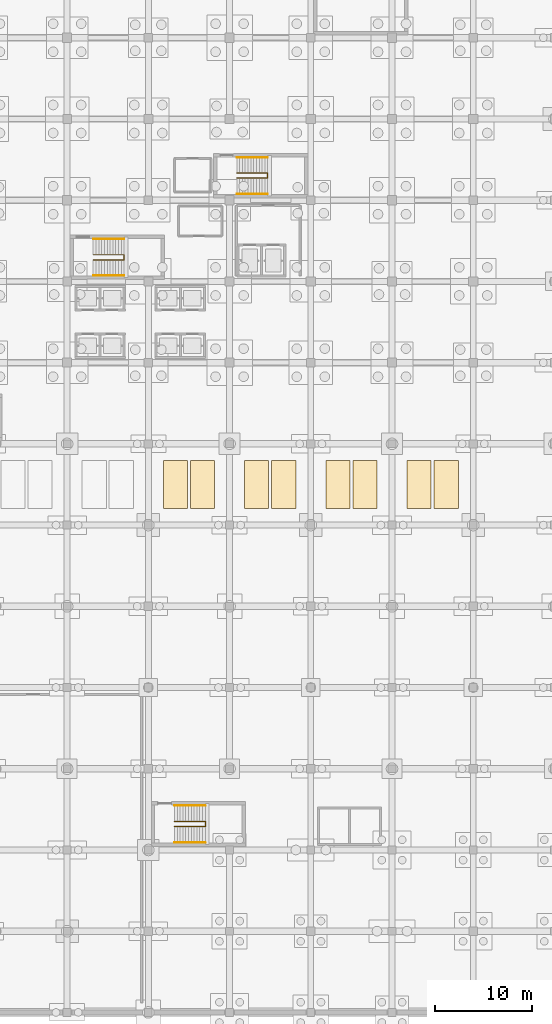
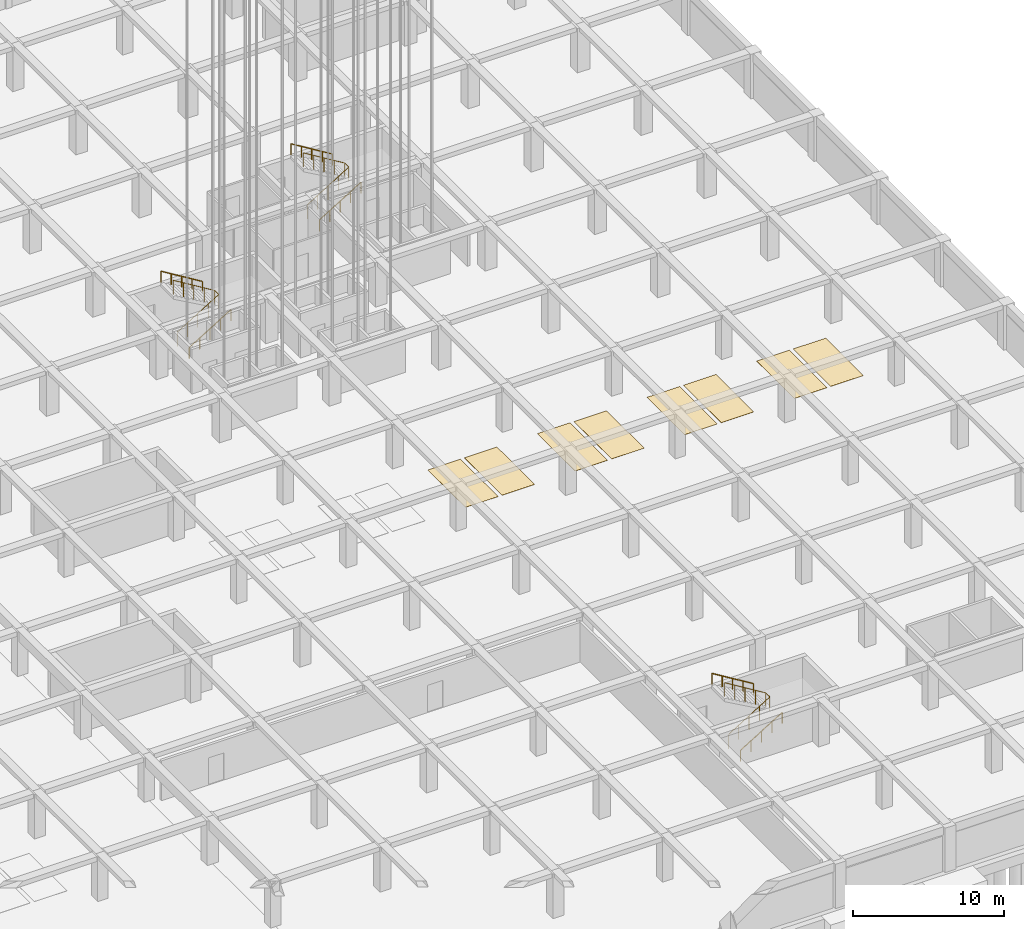
# One storey, part 46 of 47: 9 railings, 8 coverings.
"""IFC4 building model written with IfcOpenShell, lengths in metres."""

from ifc_helpers import new_model, si_unit, direction, frame, origin, origin_2d, place, context, subcontext, project, spatial, rectangle, circle, extrude, material, layer, layer_set, type_object, element, save


model = new_model("IFC4")

# Units and contexts
model_context = context("Model", 3, precision=1e-05, world=origin(), true_north=direction((0.0, 1.0)))
body_context = subcontext(model_context, "Body", "Model", "MODEL_VIEW")
ifc_project = project(units=[si_unit("LENGTHUNIT", "METRE"), si_unit("AREAUNIT", "SQUARE_METRE"), si_unit("VOLUMEUNIT", "CUBIC_METRE"), si_unit("PLANEANGLEUNIT", "RADIAN"), si_unit("MASSUNIT", "GRAM", prefix="KILO")], contexts=[model_context])

# Site, building, storey
site_placement = place(None, origin())
site = spatial("IfcSite", under=ifc_project, at=site_placement, CompositionType="ELEMENT")
building_placement = place(site_placement, origin())
building = spatial("IfcBuilding", under=site, at=building_placement, Name="Almacenes y Pasaje Nevantli", CompositionType="ELEMENT")
storey_placement = place(building_placement, frame((0.0, 0.0, -8.10009765625)))
storey = spatial("IfcBuildingStorey", under=building, at=storey_placement, Name="B02", CompositionType="ELEMENT", Elevation=-8.10009765625)

# Coverings
ifc_material_1 = material(Name="Thermoplastic Traffic Deck Marking", Category="stone")
ifc_layer = layer(ifc_material_1, 0.010009765625)
ifc_layer_set = layer_set([ifc_layer], Name="Thermoplastic Traffic Deck Marking")
covering_type = type_object("IfcCoveringType", Name="COV-PARK-BAY", PredefinedType="FLOORING", material=ifc_layer_set)
for number, where, z_axis, x_axis, name in (
    (1, (128.800048828125, 54.60009765625, 0.0), (0.0, 0.0, 1.0), (1.0, 0.0, 0.0), "B02 Underground Parking Bay Marking #47"),
    (2, (131.60009765625, 54.60009765625, 0.0), (0.0, 0.0, 1.0), (1.0, 0.0, 0.0), "B02 Underground Parking Bay Marking #48"),
    (3, (137.199951171875, 54.60009765625, 0.0), (0.0, 0.0, 1.0), (1.0, 0.0, 0.0), "B02 Underground Parking Bay Marking #49"),
    (4, (140.0, 54.60009765625, 0.0), (0.0, 0.0, 1.0), (1.0, 0.0, 0.0), "B02 Underground Parking Bay Marking #50"),
    (5, (145.60009765625, 54.60009765625, 0.0), (0.0, 0.0, 1.0), (1.0, 0.0, 0.0), "B02 Underground Parking Bay Marking #51"),
    (6, (148.39990234375, 54.60009765625, 0.0), (0.0, 0.0, 1.0), (1.0, 0.0, 0.0), "B02 Underground Parking Bay Marking #52"),
    (7, (154.0, 54.60009765625, 0.0), (0.0, 0.0, 1.0), (1.0, 0.0, 0.0), "B02 Underground Parking Bay Marking #53"),
    (8, (156.800048828125, 54.60009765625, 0.0), (0.0, 0.0, 1.0), (1.0, 0.0, 0.0), "B02 Underground Parking Bay Marking #54"),
):
    element("IfcCovering", number, at=place(storey_placement, frame(where, z_axis=z_axis, x_axis=x_axis)), inside=storey, type_object=covering_type, Name=name, PredefinedType="FLOORING", context=body_context, shape_type="SweptSolid", body=[
        extrude(rectangle(XDim=2.5, YDim=5.0, at=origin_2d()), origin(), (0.0, 0.0, 1.0), 0.010009765625),
    ])

# Railings
ifc_material_2 = material(Name="Brushed Stainless Steel and Tempered Safety Glass", Category="steel")
railing_type_1 = type_object("IfcRailingType", Name="RL-GUARD-1100", PredefinedType="BALUSTRADE", material=ifc_material_2)
railing_1_placement = place(storey_placement, frame((120.300048828125, 77.830078125, 0.0)))
element("IfcRailing", 9, at=railing_1_placement, inside=storey, type_object=railing_type_1, Name="B02 Stair ST-01 Inner Well Guard Balustrade", PredefinedType="BALUSTRADE", context=body_context, shape_type="SweptSolid", body=[
    extrude(circle(Radius=0.02392578125, at=origin_2d()), frame((0.025634765625, 0.0, 1.1416015625), z_axis=(0.853188201146, 0.0, 0.521603195374), x_axis=(0.0, 1.0, 0.0)), (0.0, 0.0, 1.0), 3.678955078125),
    extrude(circle(Radius=0.02392578125, at=origin_2d()), frame((3.18994140625, 0.030029296875, 3.076171875), z_axis=(0.0, 1.0, 0.0), x_axis=(-1.0, 0.0, 0.0)), (0.0, 0.0, 1.0), 0.469970703125),
    extrude(circle(Radius=0.02392578125, at=origin_2d()), frame((3.164306640625, 0.530029296875, 3.091796875), z_axis=(-0.853217260254, 0.0, 0.521555660313), x_axis=(0.0, -1.0, 0.0)), (0.0, 0.0, 1.0), 3.6787109375),
    extrude(circle(Radius=0.02099609375, at=origin_2d()), origin(), (0.0, 0.0, 1.0), 1.096923828125),
    extrude(circle(Radius=0.02099609375, at=origin_2d()), frame((0.79736328125, 0.0, 0.487548828125)), (0.0, 0.0, 1.0), 1.096923828125),
    extrude(circle(Radius=0.02099609375, at=origin_2d()), frame((1.594970703125, 0.0, 0.97509765625)), (0.0, 0.0, 1.0), 1.096923828125),
    extrude(circle(Radius=0.02099609375, at=origin_2d()), frame((2.392578125, 0.0, 1.462646484375)), (0.0, 0.0, 1.0), 1.096923828125),
    extrude(circle(Radius=0.02099609375, at=origin_2d()), frame((3.18994140625, 0.0, 1.9501953125)), (0.0, 0.0, 1.0), 1.096923828125),
    extrude(circle(Radius=0.02099609375, at=origin_2d()), frame((3.18994140625, 0.530029296875, 1.9501953125)), (0.0, 0.0, 1.0), 1.096923828125),
    extrude(circle(Radius=0.02099609375, at=origin_2d()), frame((2.392578125, 0.530029296875, 2.437744140625)), (0.0, 0.0, 1.0), 1.096923828125),
    extrude(circle(Radius=0.02099609375, at=origin_2d()), frame((1.594970703125, 0.530029296875, 2.92529296875)), (0.0, 0.0, 1.0), 1.096923828125),
    extrude(circle(Radius=0.02099609375, at=origin_2d()), frame((0.79736328125, 0.530029296875, 3.41259765625)), (0.0, 0.0, 1.0), 1.096923828125),
    extrude(circle(Radius=0.02099609375, at=origin_2d()), frame((0.0, 0.530029296875, 3.900146484375)), (0.0, 0.0, 1.0), 1.096923828125),
])
railing_2_placement = place(storey_placement, frame((135.14990234375, 86.280029296875, 0.0)))
element("IfcRailing", 10, at=railing_2_placement, inside=storey, type_object=railing_type_1, Name="B02 Stair ST-02 Inner Well Guard Balustrade", PredefinedType="BALUSTRADE", context=body_context, shape_type="SweptSolid", body=[
    extrude(circle(Radius=0.02392578125, at=origin_2d()), frame((0.025634765625, 0.0, 1.1416015625), z_axis=(0.853205965376, 0.0, 0.521574137248), x_axis=(0.0, 1.0, 0.0)), (0.0, 0.0, 1.0), 3.678955078125),
    extrude(circle(Radius=0.02392578125, at=origin_2d()), frame((3.190185546875, 0.030029296875, 3.076171875), z_axis=(0.0, 1.0, 0.0), x_axis=(-1.0, 0.0, 0.0)), (0.0, 0.0, 1.0), 0.469970703125),
    extrude(circle(Radius=0.02392578125, at=origin_2d()), frame((3.16455078125, 0.530029296875, 3.091796875), z_axis=(-0.853235021851, 0.0, 0.521526602856), x_axis=(0.0, -1.0, 0.0)), (0.0, 0.0, 1.0), 3.678955078125),
    extrude(circle(Radius=0.02099609375, at=origin_2d()), origin(), (0.0, 0.0, 1.0), 1.096923828125),
    extrude(circle(Radius=0.02099609375, at=origin_2d()), frame((0.797607421875, 0.0, 0.487548828125)), (0.0, 0.0, 1.0), 1.096923828125),
    extrude(circle(Radius=0.02099609375, at=origin_2d()), frame((1.59521484375, 0.0, 0.97509765625)), (0.0, 0.0, 1.0), 1.096923828125),
    extrude(circle(Radius=0.02099609375, at=origin_2d()), frame((2.392578125, 0.0, 1.462646484375)), (0.0, 0.0, 1.0), 1.096923828125),
    extrude(circle(Radius=0.02099609375, at=origin_2d()), frame((3.190185546875, 0.0, 1.9501953125)), (0.0, 0.0, 1.0), 1.096923828125),
    extrude(circle(Radius=0.02099609375, at=origin_2d()), frame((3.190185546875, 0.530029296875, 1.9501953125)), (0.0, 0.0, 1.0), 1.096923828125),
    extrude(circle(Radius=0.02099609375, at=origin_2d()), frame((2.392578125, 0.530029296875, 2.437744140625)), (0.0, 0.0, 1.0), 1.096923828125),
    extrude(circle(Radius=0.02099609375, at=origin_2d()), frame((1.59521484375, 0.530029296875, 2.92529296875)), (0.0, 0.0, 1.0), 1.096923828125),
    extrude(circle(Radius=0.02099609375, at=origin_2d()), frame((0.797607421875, 0.530029296875, 3.41259765625)), (0.0, 0.0, 1.0), 1.096923828125),
    extrude(circle(Radius=0.02099609375, at=origin_2d()), frame((0.0, 0.530029296875, 3.900146484375)), (0.0, 0.0, 1.0), 1.096923828125),
])
railing_3_placement = place(storey_placement, frame((128.699951171875, 19.2099609375, 0.0)))
element("IfcRailing", 11, at=railing_3_placement, inside=storey, type_object=railing_type_1, Name="B02 Stair ST-06 Inner Well Guard Balustrade", PredefinedType="BALUSTRADE", context=body_context, shape_type="SweptSolid", body=[
    extrude(circle(Radius=0.02392578125, at=origin_2d()), frame((0.025634765625, 0.0, 1.1416015625), z_axis=(0.853188201146, 0.0, 0.521603195374), x_axis=(0.0, 1.0, 0.0)), (0.0, 0.0, 1.0), 3.678955078125),
    extrude(circle(Radius=0.02392578125, at=origin_2d()), frame((3.18994140625, 0.030029296875, 3.076171875), z_axis=(0.0, 1.0, 0.0), x_axis=(-1.0, 0.0, 0.0)), (0.0, 0.0, 1.0), 0.469970703125),
    extrude(circle(Radius=0.02392578125, at=origin_2d()), frame((3.164306640625, 0.530029296875, 3.091796875), z_axis=(-0.853217260254, 0.0, 0.521555660313), x_axis=(0.0, -1.0, 0.0)), (0.0, 0.0, 1.0), 3.6787109375),
    extrude(circle(Radius=0.02099609375, at=origin_2d()), origin(), (0.0, 0.0, 1.0), 1.096923828125),
    extrude(circle(Radius=0.02099609375, at=origin_2d()), frame((0.79736328125, 0.0, 0.487548828125)), (0.0, 0.0, 1.0), 1.096923828125),
    extrude(circle(Radius=0.02099609375, at=origin_2d()), frame((1.594970703125, 0.0, 0.97509765625)), (0.0, 0.0, 1.0), 1.096923828125),
    extrude(circle(Radius=0.02099609375, at=origin_2d()), frame((2.392578125, 0.0, 1.462646484375)), (0.0, 0.0, 1.0), 1.096923828125),
    extrude(circle(Radius=0.02099609375, at=origin_2d()), frame((3.18994140625, 0.0, 1.9501953125)), (0.0, 0.0, 1.0), 1.096923828125),
    extrude(circle(Radius=0.02099609375, at=origin_2d()), frame((3.18994140625, 0.530029296875, 1.9501953125)), (0.0, 0.0, 1.0), 1.096923828125),
    extrude(circle(Radius=0.02099609375, at=origin_2d()), frame((2.392578125, 0.530029296875, 2.437744140625)), (0.0, 0.0, 1.0), 1.096923828125),
    extrude(circle(Radius=0.02099609375, at=origin_2d()), frame((1.594970703125, 0.530029296875, 2.92529296875)), (0.0, 0.0, 1.0), 1.096923828125),
    extrude(circle(Radius=0.02099609375, at=origin_2d()), frame((0.79736328125, 0.530029296875, 3.41259765625)), (0.0, 0.0, 1.0), 1.096923828125),
    extrude(circle(Radius=0.02099609375, at=origin_2d()), frame((0.0, 0.530029296875, 3.900146484375)), (0.0, 0.0, 1.0), 1.096923828125),
])
ifc_material_3 = material(Name="Brushed Stainless Steel Tube", Category="steel")
railing_type_2 = type_object("IfcRailingType", Name="RL-HANDRAIL-900", PredefinedType="HANDRAIL", material=ifc_material_3)
railing_4_placement = place(storey_placement, frame((120.300048828125, 76.2099609375, 0.0)))
element("IfcRailing", 12, at=railing_4_placement, inside=storey, type_object=railing_type_2, Name="B02 Stair ST-01 Lower Flight Handrail", PredefinedType="HANDRAIL", context=body_context, shape_type="SweptSolid", body=[
    extrude(circle(Radius=0.02392578125, at=origin_2d()), frame((0.025634765625, 0.0, 0.8916015625), z_axis=(0.853188201146, 0.0, 0.521603195374), x_axis=(0.0, 1.0, 0.0)), (0.0, 0.0, 1.0), 3.678955078125),
    extrude(circle(Radius=0.02099609375, at=origin_2d()), origin(), (0.0, 0.0, 1.0), 0.846923828125),
    extrude(circle(Radius=0.02099609375, at=origin_2d()), frame((0.79736328125, 0.0, 0.487548828125)), (0.0, 0.0, 1.0), 0.846923828125),
    extrude(circle(Radius=0.02099609375, at=origin_2d()), frame((1.594970703125, 0.0, 0.97509765625)), (0.0, 0.0, 1.0), 0.846923828125),
    extrude(circle(Radius=0.02099609375, at=origin_2d()), frame((2.392578125, 0.0, 1.462646484375)), (0.0, 0.0, 1.0), 0.846923828125),
    extrude(circle(Radius=0.02099609375, at=origin_2d()), frame((3.18994140625, 0.0, 1.9501953125)), (0.0, 0.0, 1.0), 0.846923828125),
])
railing_5_placement = place(storey_placement, frame((123.489990234375, 79.97998046875, 1.9501953125)))
element("IfcRailing", 13, at=railing_5_placement, inside=storey, type_object=railing_type_2, Name="B02 Stair ST-01 Upper Flight Handrail", PredefinedType="HANDRAIL", context=body_context, shape_type="SweptSolid", body=[
    extrude(circle(Radius=0.02392578125, at=origin_2d()), frame((-0.025634765625, 0.0, 0.8916015625), z_axis=(-0.853217260254, 0.0, 0.521555660313), x_axis=(0.0, -1.0, 0.0)), (0.0, 0.0, 1.0), 3.6787109375),
    extrude(circle(Radius=0.02099609375, at=origin_2d()), origin(), (0.0, 0.0, 1.0), 0.846923828125),
    extrude(circle(Radius=0.02099609375, at=origin_2d()), frame((-0.79736328125, 0.0, 0.487548828125)), (0.0, 0.0, 1.0), 0.846923828125),
    extrude(circle(Radius=0.02099609375, at=origin_2d()), frame((-1.594970703125, 0.0, 0.97509765625)), (0.0, 0.0, 1.0), 0.846923828125),
    extrude(circle(Radius=0.02099609375, at=origin_2d()), frame((-2.392578125, 0.0, 1.46240234375)), (0.0, 0.0, 1.0), 0.846923828125),
    extrude(circle(Radius=0.02099609375, at=origin_2d()), frame((-3.18994140625, 0.0, 1.949951171875)), (0.0, 0.0, 1.0), 0.846923828125),
])
railing_6_placement = place(storey_placement, frame((135.14990234375, 84.659912109375, 0.0)))
element("IfcRailing", 14, at=railing_6_placement, inside=storey, type_object=railing_type_2, Name="B02 Stair ST-02 Lower Flight Handrail", PredefinedType="HANDRAIL", context=body_context, shape_type="SweptSolid", body=[
    extrude(circle(Radius=0.02392578125, at=origin_2d()), frame((0.025634765625, 0.0, 0.8916015625), z_axis=(0.853205965376, 0.0, 0.521574137248), x_axis=(0.0, 1.0, 0.0)), (0.0, 0.0, 1.0), 3.678955078125),
    extrude(circle(Radius=0.02099609375, at=origin_2d()), origin(), (0.0, 0.0, 1.0), 0.846923828125),
    extrude(circle(Radius=0.02099609375, at=origin_2d()), frame((0.797607421875, 0.0, 0.487548828125)), (0.0, 0.0, 1.0), 0.846923828125),
    extrude(circle(Radius=0.02099609375, at=origin_2d()), frame((1.59521484375, 0.0, 0.97509765625)), (0.0, 0.0, 1.0), 0.846923828125),
    extrude(circle(Radius=0.02099609375, at=origin_2d()), frame((2.392578125, 0.0, 1.462646484375)), (0.0, 0.0, 1.0), 0.846923828125),
    extrude(circle(Radius=0.02099609375, at=origin_2d()), frame((3.190185546875, 0.0, 1.9501953125)), (0.0, 0.0, 1.0), 0.846923828125),
])
railing_7_placement = place(storey_placement, frame((138.340087890625, 88.429931640625, 1.9501953125)))
element("IfcRailing", 15, at=railing_7_placement, inside=storey, type_object=railing_type_2, Name="B02 Stair ST-02 Upper Flight Handrail", PredefinedType="HANDRAIL", context=body_context, shape_type="SweptSolid", body=[
    extrude(circle(Radius=0.02392578125, at=origin_2d()), frame((-0.025634765625, 0.0, 0.8916015625), z_axis=(-0.853235021851, 0.0, 0.521526602856), x_axis=(0.0, -1.0, 0.0)), (0.0, 0.0, 1.0), 3.678955078125),
    extrude(circle(Radius=0.02099609375, at=origin_2d()), origin(), (0.0, 0.0, 1.0), 0.846923828125),
    extrude(circle(Radius=0.02099609375, at=origin_2d()), frame((-0.797607421875, 0.0, 0.487548828125)), (0.0, 0.0, 1.0), 0.846923828125),
    extrude(circle(Radius=0.02099609375, at=origin_2d()), frame((-1.59521484375, 0.0, 0.97509765625)), (0.0, 0.0, 1.0), 0.846923828125),
    extrude(circle(Radius=0.02099609375, at=origin_2d()), frame((-2.392578125, 0.0, 1.46240234375)), (0.0, 0.0, 1.0), 0.846923828125),
    extrude(circle(Radius=0.02099609375, at=origin_2d()), frame((-3.190185546875, 0.0, 1.949951171875)), (0.0, 0.0, 1.0), 0.846923828125),
])
railing_8_placement = place(storey_placement, frame((128.699951171875, 17.56005859375, 0.0)))
element("IfcRailing", 16, at=railing_8_placement, inside=storey, type_object=railing_type_2, Name="B02 Stair ST-06 Lower Flight Handrail", PredefinedType="HANDRAIL", context=body_context, shape_type="SweptSolid", body=[
    extrude(circle(Radius=0.02392578125, at=origin_2d()), frame((0.025634765625, 0.0, 0.8916015625), z_axis=(0.853188201146, 0.0, 0.521603195374), x_axis=(0.0, 1.0, 0.0)), (0.0, 0.0, 1.0), 3.678955078125),
    extrude(circle(Radius=0.02099609375, at=origin_2d()), origin(), (0.0, 0.0, 1.0), 0.846923828125),
    extrude(circle(Radius=0.02099609375, at=origin_2d()), frame((0.79736328125, 0.0, 0.487548828125)), (0.0, 0.0, 1.0), 0.846923828125),
    extrude(circle(Radius=0.02099609375, at=origin_2d()), frame((1.594970703125, 0.0, 0.97509765625)), (0.0, 0.0, 1.0), 0.846923828125),
    extrude(circle(Radius=0.02099609375, at=origin_2d()), frame((2.392578125, 0.0, 1.462646484375)), (0.0, 0.0, 1.0), 0.846923828125),
    extrude(circle(Radius=0.02099609375, at=origin_2d()), frame((3.18994140625, 0.0, 1.9501953125)), (0.0, 0.0, 1.0), 0.846923828125),
])
railing_9_placement = place(storey_placement, frame((131.889892578125, 21.389892578125, 1.9501953125)))
element("IfcRailing", 17, at=railing_9_placement, inside=storey, type_object=railing_type_2, Name="B02 Stair ST-06 Upper Flight Handrail", PredefinedType="HANDRAIL", context=body_context, shape_type="SweptSolid", body=[
    extrude(circle(Radius=0.02392578125, at=origin_2d()), frame((-0.025634765625, 0.0, 0.8916015625), z_axis=(-0.853217260254, 0.0, 0.521555660313), x_axis=(0.0, -1.0, 0.0)), (0.0, 0.0, 1.0), 3.6787109375),
    extrude(circle(Radius=0.02099609375, at=origin_2d()), origin(), (0.0, 0.0, 1.0), 0.846923828125),
    extrude(circle(Radius=0.02099609375, at=origin_2d()), frame((-0.79736328125, 0.0, 0.487548828125)), (0.0, 0.0, 1.0), 0.846923828125),
    extrude(circle(Radius=0.02099609375, at=origin_2d()), frame((-1.594970703125, 0.0, 0.97509765625)), (0.0, 0.0, 1.0), 0.846923828125),
    extrude(circle(Radius=0.02099609375, at=origin_2d()), frame((-2.392578125, 0.0, 1.46240234375)), (0.0, 0.0, 1.0), 0.846923828125),
    extrude(circle(Radius=0.02099609375, at=origin_2d()), frame((-3.18994140625, 0.0, 1.949951171875)), (0.0, 0.0, 1.0), 0.846923828125),
])

save(model, "model.ifc")
